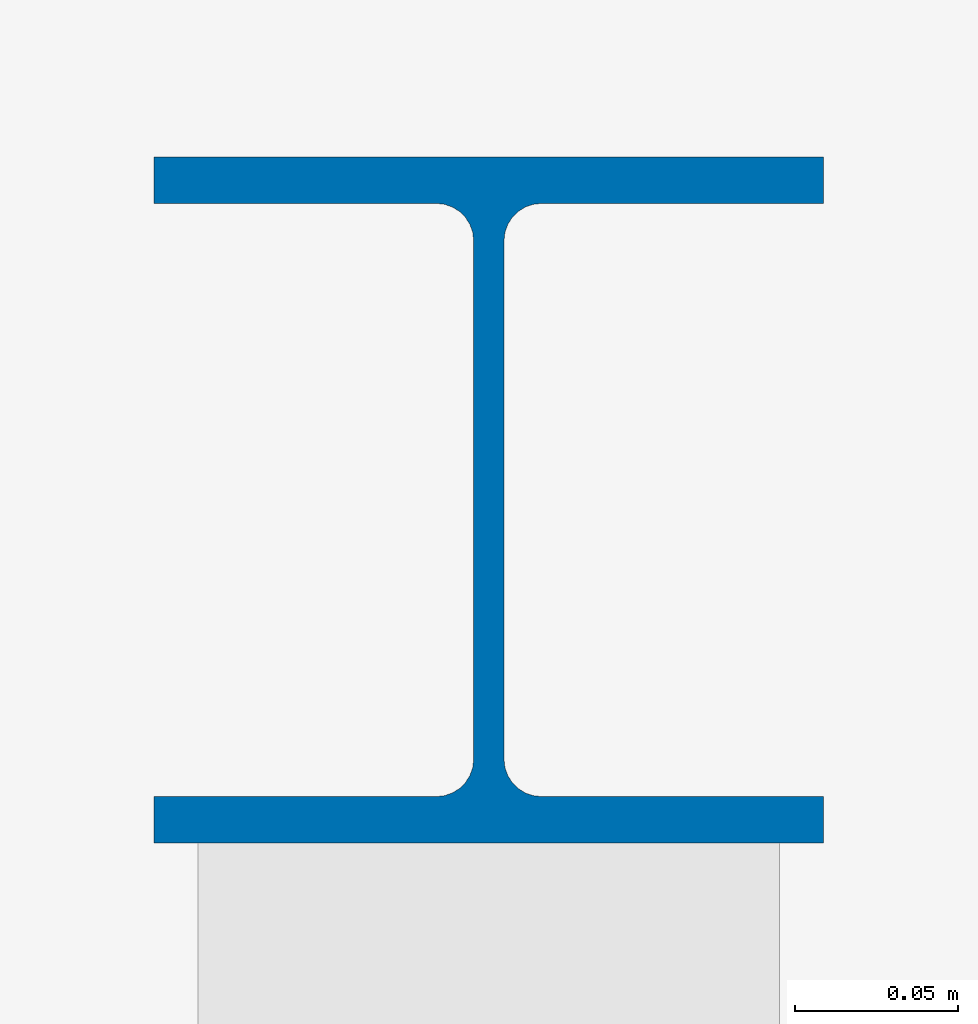
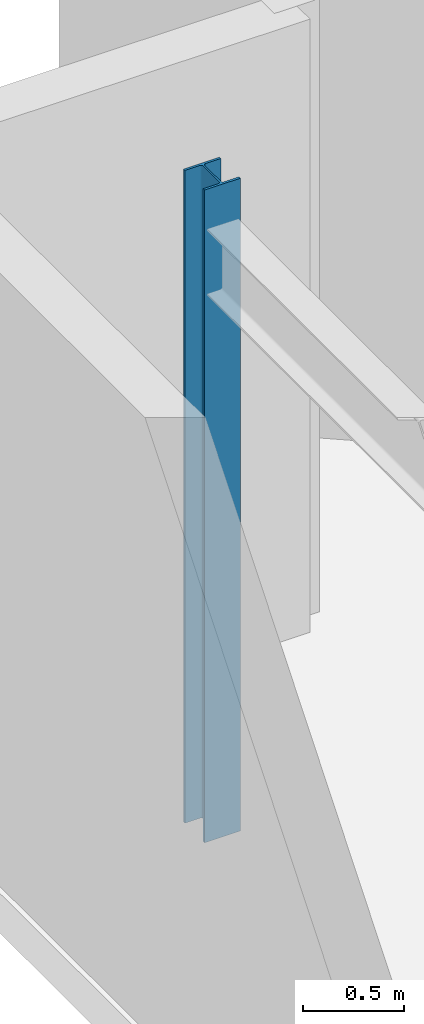
# One storey, part 4 of 16: 1 column.
"""IFC4 building model written with IfcOpenShell, lengths in metres."""

from ifc_helpers import new_model, si_unit, direction, frame, origin, origin_2d, place, context, subcontext, project, spatial, i_section, extrude, material, material_profile, profile_set, type_object, element, save


model = new_model("IFC4")

# Units and contexts
model_context = context("Model", 3, precision=1e-05, world=origin(), true_north=direction((0.0, 1.0)))
body_context = subcontext(model_context, "Body", "Model", "MODEL_VIEW")
ifc_project = project(units=[si_unit("LENGTHUNIT", "METRE"), si_unit("AREAUNIT", "SQUARE_METRE"), si_unit("VOLUMEUNIT", "CUBIC_METRE"), si_unit("PLANEANGLEUNIT", "RADIAN"), si_unit("MASSUNIT", "GRAM", prefix="KILO")], contexts=[model_context])

# Site, building, storey
site_placement = place(None, origin())
site = spatial("IfcSite", under=ifc_project, at=site_placement, CompositionType="ELEMENT")
building_placement = place(site_placement, origin())
building = spatial("IfcBuilding", under=site, at=building_placement, Name="Varnakote Quay Hospital", CompositionType="ELEMENT")
storey_placement = place(building_placement, frame((0.0, 0.0, 280.25)))
storey = spatial("IfcBuildingStorey", under=building, at=storey_placement, Name="L69", CompositionType="ELEMENT", Elevation=280.25)

# Column
ifc_material = material(Name="Structural steel AS/NZS 3679.1 Grade 350 L0 (fy 340 MPa)", Category="steel")
ifc_material_profile = material_profile(ifc_material, i_section(OverallWidth=0.205078125, OverallDepth=0.2099609375, WebThickness=0.00927734375, FlangeThickness=0.01416015625, FilletRadius=0.011474609375, at=origin_2d()), Name="200UC59.5")
ifc_profile_set = profile_set([ifc_material_profile], Name="Structural steel AS/NZS 3679.1 Grade 350 L0 (fy 340 MPa)")
column_type = type_object("IfcColumnType", Name="COL-STL-200UC59-5", PredefinedType="COLUMN", material=ifc_profile_set)
column_placement = place(storey_placement, frame((1.199951171875, 37.199951171875, 0.0), z_axis=(0.0, 0.0, 1.0), x_axis=(1.0, 0.0, 0.0)))
element("IfcColumn", 1, at=column_placement, inside=storey, type_object=column_type, Name="L69 Structural Column C-1-37", PredefinedType="COLUMN", context=body_context, shape_type="SweptSolid", body=[
    extrude(i_section(OverallWidth=0.205078125, OverallDepth=0.2099609375, WebThickness=0.00927734375, FlangeThickness=0.01416015625, FilletRadius=0.011474609375, at=origin_2d()), origin(), (0.0, 0.0, 1.0), 3.949951171875),
])

save(model, "model.ifc")
